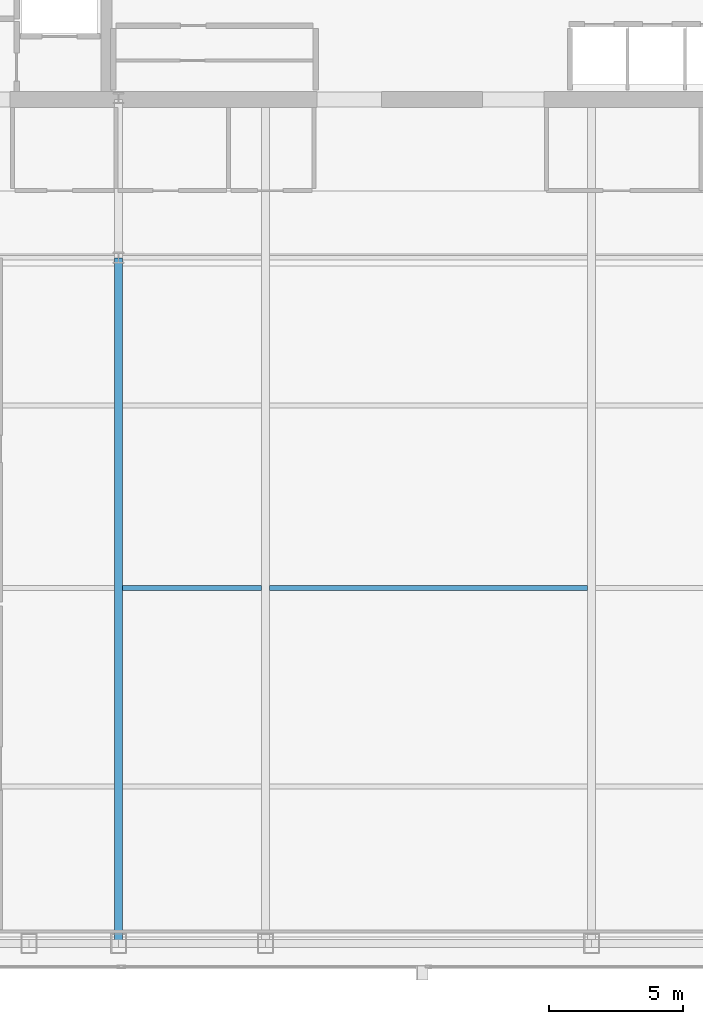
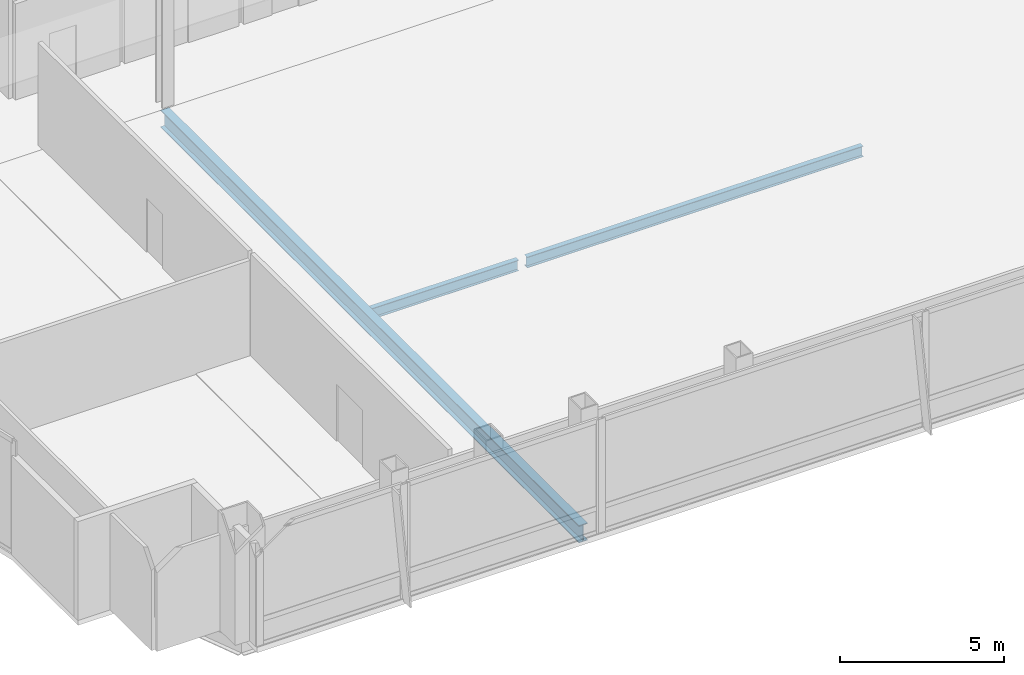
# One storey, part 9 of 28: 3 beams.
"""IFC4 building model written with IfcOpenShell, lengths in metres."""

from ifc_helpers import new_model, si_unit, direction, frame, origin, origin_2d, place, context, subcontext, project, spatial, i_section, extrude, material, material_profile, profile_set, type_object, element, save


model = new_model("IFC4")

# Units and contexts
model_context = context("Model", 3, precision=1e-05, world=origin(), true_north=direction((0.0, 1.0)))
body_context = subcontext(model_context, "Body", "Model", "MODEL_VIEW")
ifc_project = project(units=[si_unit("LENGTHUNIT", "METRE"), si_unit("AREAUNIT", "SQUARE_METRE"), si_unit("VOLUMEUNIT", "CUBIC_METRE"), si_unit("PLANEANGLEUNIT", "RADIAN"), si_unit("MASSUNIT", "GRAM", prefix="KILO")], contexts=[model_context])

# Site, building, storey
site_placement = place(None, origin())
site = spatial("IfcSite", under=ifc_project, at=site_placement, CompositionType="ELEMENT")
building_placement = place(site_placement, origin())
building = spatial("IfcBuilding", under=site, at=building_placement, Name="Khoronbel Lancet Exchange", CompositionType="ELEMENT")
storey_placement = place(building_placement, frame((0.0, 0.0, 265.39990234375)))
storey = spatial("IfcBuildingStorey", under=building, at=storey_placement, Name="L68", CompositionType="ELEMENT", Elevation=265.39990234375)

# Beams
ifc_material = material(Name="Steel S355", Category="steel")
ifc_material_profile_1 = material_profile(ifc_material, i_section(OverallWidth=0.300048828125, OverallDepth=0.64990234375, WebThickness=0.01611328125, FlangeThickness=0.031005859375, at=origin_2d()), Name="HEB 650")
ifc_profile_set_1 = profile_set([ifc_material_profile_1], Name="Steel S355")
beam_type_1 = type_object("IfcBeamType", Name="BM-BG4", PredefinedType="BEAM", material=ifc_profile_set_1)
beam_1_placement = place(storey_placement, frame((24.89990234375, 10.14990234375, -0.52490234375), z_axis=(0.0, 1.0, 0.0), x_axis=(-1.0, 0.0, 0.0)))
element("IfcBeam", 1, at=beam_1_placement, inside=storey, type_object=beam_type_1, Name="Level L68 south primary girder GS2", PredefinedType="BEAM", context=body_context, shape_type="SweptSolid", body=[
    extrude(i_section(OverallWidth=0.300048828125, OverallDepth=0.64990234375, WebThickness=0.01611328125, FlangeThickness=0.031005859375, at=origin_2d()), origin(), (0.0, 0.0, 1.0), 25.550048828125),
])
ifc_material_profile_2 = material_profile(ifc_material, i_section(OverallWidth=0.179931640625, OverallDepth=0.39990234375, WebThickness=0.008544921875, FlangeThickness=0.013427734375, at=origin_2d()), Name="IPE 400")
ifc_profile_set_2 = profile_set([ifc_material_profile_2], Name="Steel S355")
beam_type_2 = type_object("IfcBeamType", Name="BM-BJ5", PredefinedType="JOIST", material=ifc_profile_set_2)
beam_2_placement = place(storey_placement, frame((25.050048828125, 23.39990234375, -0.39990234375), z_axis=(1.0, 0.0, 0.0), x_axis=(0.0, 1.0, 0.0)))
element("IfcBeam", 2, at=beam_2_placement, inside=storey, type_object=beam_type_2, Name="Level L68 secondary composite joist J07", PredefinedType="JOIST", context=body_context, shape_type="SweptSolid", body=[
    extrude(i_section(OverallWidth=0.179931640625, OverallDepth=0.39990234375, WebThickness=0.008544921875, FlangeThickness=0.013427734375, at=origin_2d()), origin(), (0.0, 0.0, 1.0), 5.175048828125),
])
beam_3_placement = place(storey_placement, frame((30.52490234375, 23.39990234375, -0.39990234375), z_axis=(1.0, 0.0, 0.0), x_axis=(0.0, 1.0, 0.0)))
element("IfcBeam", 3, at=beam_3_placement, inside=storey, type_object=beam_type_2, Name="Level L68 secondary composite joist J08", PredefinedType="JOIST", context=body_context, shape_type="SweptSolid", body=[
    extrude(i_section(OverallWidth=0.179931640625, OverallDepth=0.39990234375, WebThickness=0.008544921875, FlangeThickness=0.013427734375, at=origin_2d()), origin(), (0.0, 0.0, 1.0), 11.85009765625),
])

save(model, "model.ifc")
